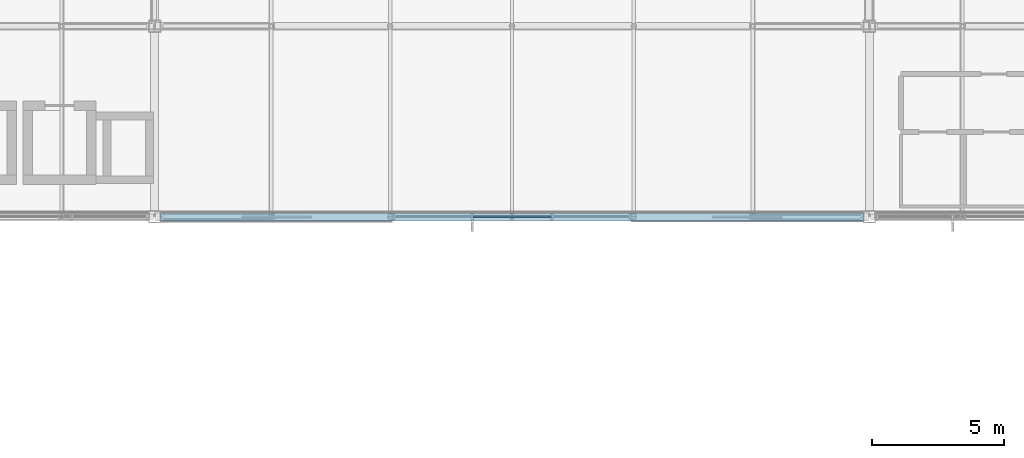
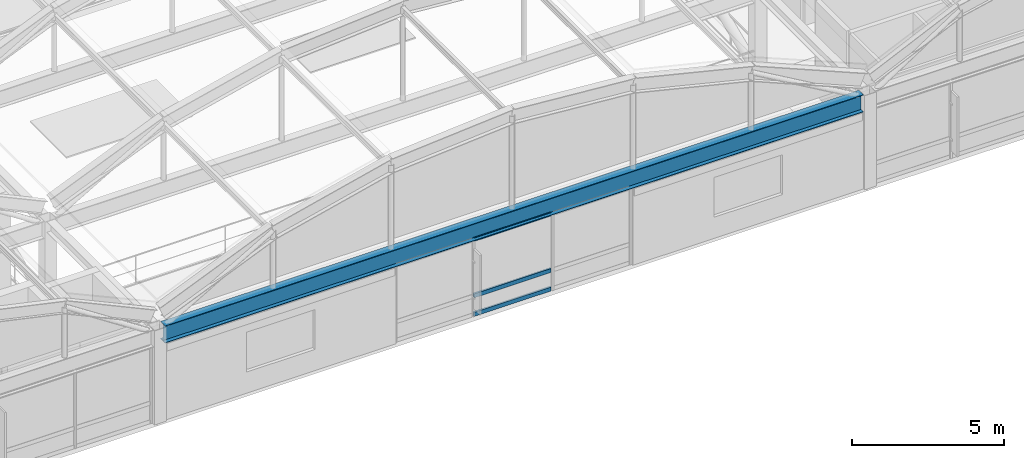
# One storey, part 33 of 106: 3 members, 1 beam, 1 element without a shape of its own.
"""IFC4 building model written with IfcOpenShell, lengths in metres."""

from ifc_helpers import new_model, si_unit, direction, frame, origin, origin_2d, place, context, subcontext, project, spatial, hollow_rectangle, i_section, extrude, material, material_profile, profile_set, type_object, element, aggregate, save


model = new_model("IFC4")

# Units and contexts
model_context = context("Model", 3, precision=1e-05, world=origin(), true_north=direction((0.0, 1.0)))
body_context = subcontext(model_context, "Body", "Model", "MODEL_VIEW")
ifc_project = project(units=[si_unit("LENGTHUNIT", "METRE"), si_unit("AREAUNIT", "SQUARE_METRE"), si_unit("VOLUMEUNIT", "CUBIC_METRE"), si_unit("PLANEANGLEUNIT", "RADIAN"), si_unit("MASSUNIT", "GRAM", prefix="KILO")], contexts=[model_context])

# Site, building, storey
site_placement = place(None, origin())
site = spatial("IfcSite", under=ifc_project, at=site_placement, CompositionType="ELEMENT")
building_placement = place(site_placement, origin())
building = spatial("IfcBuilding", under=site, at=building_placement, Name="Kazanami Central Library", CompositionType="ELEMENT")
storey_placement = place(building_placement, frame((0.0, 0.0, 12.800048828125)))
storey = spatial("IfcBuildingStorey", under=building, at=storey_placement, Name="L04", CompositionType="ELEMENT", Elevation=12.800048828125)

# Beam
ifc_material_1 = material(Name="Steel SN490B (325 MPa)", Category="steel")
ifc_material_profile_1 = material_profile(ifc_material_1, i_section(OverallWidth=0.300048828125, OverallDepth=0.699951171875, WebThickness=0.012939453125, FlangeThickness=0.02392578125, at=origin_2d()), Name="H-700x300x13x24")
ifc_profile_set_1 = profile_set([ifc_material_profile_1], Name="Steel SN490B (325 MPa)")
beam_type = type_object("IfcBeamType", Name="BM-G-AT", PredefinedType="BEAM", material=ifc_profile_set_1)
beam_placement = place(storey_placement, frame((63.222900390625, 64.800048828125, 3.429931640625), z_axis=(1.0, 0.0, 0.0), x_axis=(0.0, 1.0, 0.0)))
element("IfcBeam", 1, at=beam_placement, inside=storey, type_object=beam_type, Name="Barrel Vault Springing Tie Girder G-AT L04 C Grid K", PredefinedType="BEAM", context=body_context, shape_type="SweptSolid", body=[
    extrude(i_section(OverallWidth=0.300048828125, OverallDepth=0.699951171875, WebThickness=0.012939453125, FlangeThickness=0.02392578125, at=origin_2d()), origin(), (0.0, 0.0, 1.0), 26.55419921875),
])

# Curtain wall, members
ifc_material_2 = material(Name="Acid-Etched Low-E Laminated Glass", Category="glass")
curtain_wall_type = type_object("IfcCurtainWallType", Name="CW-9000x3080-M275", PredefinedType="USERDEFINED", material=ifc_material_2)
curtain_wall_placement = place(storey_placement, origin())
curtain_wall = element("IfcCurtainWall", 2, at=curtain_wall_placement, inside=storey, type_object=curtain_wall_type, Name="Unitised Curtain Wall CW-41 L04 S-K-08", ObjectType="UNITISED CURTAIN WALL", PredefinedType="USERDEFINED")
ifc_material_3 = material(Name="Anodised Aluminium A6063-T5", Category="aluminium")
ifc_material_profile_2 = material_profile(ifc_material_3, hollow_rectangle(XDim=0.070068359375, YDim=0.159912109375, WallThickness=0.00390625, at=origin_2d()), Name="ALU-TRAN-70x160x4")
ifc_profile_set_2 = profile_set([ifc_material_profile_2], Name="Anodised Aluminium A6063-T5")
member_type = type_object("IfcMemberType", Name="MEM-CW-T1", PredefinedType="USERDEFINED", material=ifc_profile_set_2)
member_1_placement = place(storey_placement, frame((75.034912109375, 64.800048828125, 0.034912109375), z_axis=(1.0, 0.0, 0.0), x_axis=(0.0, 1.0, 0.0)))
member_1 = element("IfcMember", 3, at=member_1_placement, type_object=member_type, Name="CW-41 transom 2.1", ObjectType="TRANSOM", PredefinedType="USERDEFINED", context=body_context, shape_type="SweptSolid", body=[
    extrude(hollow_rectangle(XDim=0.070068359375, YDim=0.159912109375, WallThickness=0.00390625, at=origin_2d()), origin(), (0.0, 0.0, 1.0), 2.93017578125),
])
member_2_placement = place(storey_placement, frame((75.034912109375, 64.800048828125, 0.780029296875), z_axis=(1.0, 0.0, 0.0), x_axis=(0.0, 1.0, 0.0)))
member_2 = element("IfcMember", 4, at=member_2_placement, type_object=member_type, Name="CW-41 transom 2.2", ObjectType="TRANSOM", PredefinedType="USERDEFINED", context=body_context, shape_type="SweptSolid", body=[
    extrude(hollow_rectangle(XDim=0.070068359375, YDim=0.159912109375, WallThickness=0.00390625, at=origin_2d()), origin(), (0.0, 0.0, 1.0), 2.93017578125),
])
member_3_placement = place(storey_placement, frame((75.034912109375, 64.800048828125, 3.044921875), z_axis=(1.0, 0.0, 0.0), x_axis=(0.0, 1.0, 0.0)))
member_3 = element("IfcMember", 5, at=member_3_placement, type_object=member_type, Name="CW-41 transom 2.3", ObjectType="TRANSOM", PredefinedType="USERDEFINED", context=body_context, shape_type="SweptSolid", body=[
    extrude(hollow_rectangle(XDim=0.070068359375, YDim=0.159912109375, WallThickness=0.00390625, at=origin_2d()), origin(), (0.0, 0.0, 1.0), 2.93017578125),
])
aggregate(curtain_wall, [member_1, member_2, member_3])

save(model, "model.ifc")
